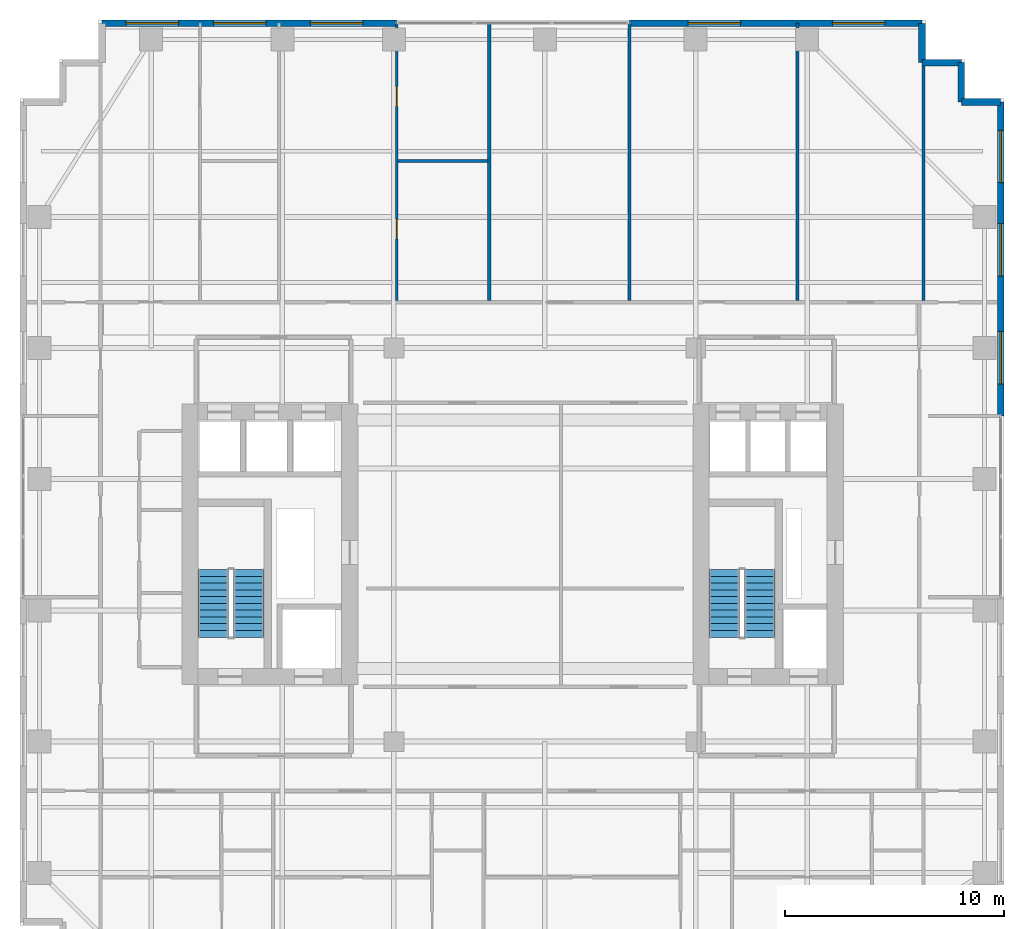
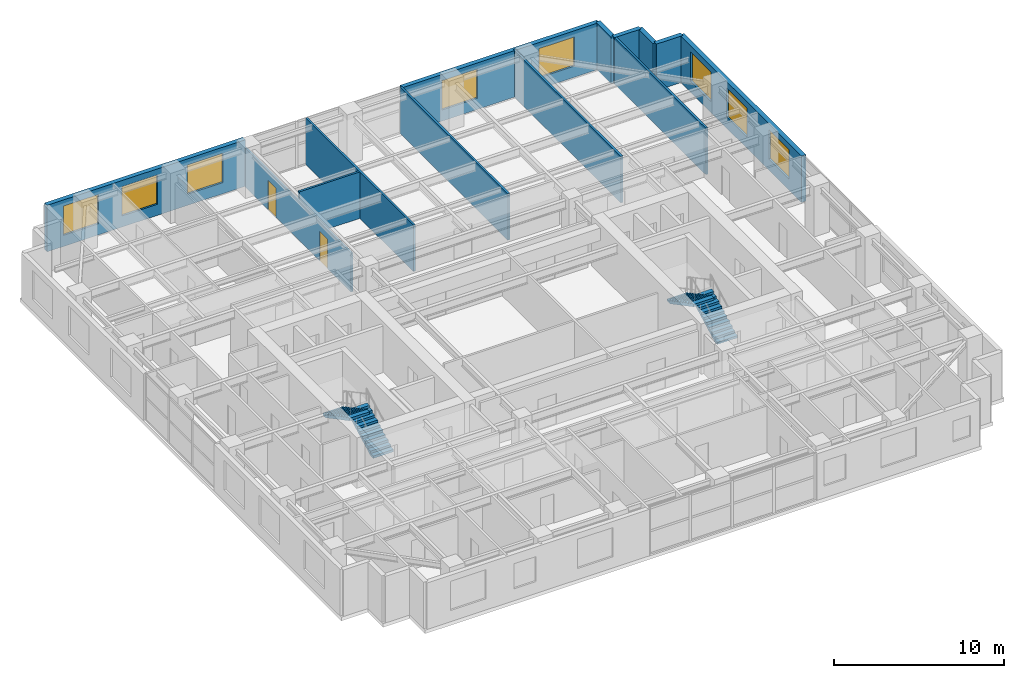
# One storey, part 16 of 20: 13 walls, 8 windows, 4 stair flights, 2 doors, 10 openings, 2 elements without a shape of their own.
"""IFC4 building model written with IfcOpenShell, lengths in metres."""

import ifcopenshell
import ifcopenshell.guid

model = None  # the IFC model being written
_history = None  # IfcOwnerHistory: only IFC2X3 demands one
_inside = {}  # id of a spatial element -> (the spatial element, [elements in it])
_under = {}  # id of a project, library or spatial element -> (it, [spatial elements below it])
_declared = {}  # id of a project -> (the project, [libraries it declares])
_typed = {}  # id of a type object -> (the type object, [elements of that type])
_made_of = {}  # id of a material, layer set ... -> (it, [elements and type objects made of it])


def new_model(schema):
    """Start an empty IFC model of exactly this schema.

    Asked for "IFC4X3", IfcOpenShell would pick the latest addendum, in which some entities
    have other attributes; the version numbers below select the first issue.
    IFC2X3 requires an IfcOwnerHistory on every rooted entity: one is made here for all.
    """
    global model, _history
    if schema == "IFC4X3":
        model = ifcopenshell.file(schema_version=(4, 3, 0, 0))
    else:
        model = ifcopenshell.file(schema=schema)
    _inside.clear()
    _under.clear()
    _declared.clear()
    _typed.clear()
    _made_of.clear()
    _history = None
    if model.schema == "IFC2X3":
        org = make("IfcOrganization", Name="unknown")
        user = make(
            "IfcPersonAndOrganization",
            ThePerson=make("IfcPerson", FamilyName="unknown"),
            TheOrganization=org,
        )
        app = make(
            "IfcApplication",
            ApplicationDeveloper=org,
            Version="unknown",
            ApplicationFullName="unknown",
            ApplicationIdentifier="unknown",
        )
        _history = make(
            "IfcOwnerHistory",
            OwningUser=user,
            OwningApplication=app,
            ChangeAction="ADDED",
            CreationDate=0,
        )
    return model


def make(cls, **values):
    """One entity of the class cls with the attributes given. An attribute that is None is left unset."""
    return model.create_entity(
        cls, **{name: value for name, value in values.items() if value is not None}
    )


def rooted(cls, **values):
    """An entity with a GlobalId (a new one), such as an element, a storey or a relation."""
    return make(cls, GlobalId=ifcopenshell.guid.new(), OwnerHistory=_history, **values)


def si_unit(unit_type, name, prefix=None):
    """IfcSIUnit, for example si_unit("LENGTHUNIT", "METRE", prefix="MILLI")."""
    return make("IfcSIUnit", UnitType=unit_type, Prefix=prefix, Name=name)


def assignment(units):
    """IfcUnitAssignment: the units of a project."""
    return None if units is None else make("IfcUnitAssignment", Units=units)


def point(xyz):
    """IfcCartesianPoint."""
    return None if xyz is None else make("IfcCartesianPoint", Coordinates=xyz)


def direction(xyz):
    """IfcDirection."""
    return None if xyz is None else make("IfcDirection", DirectionRatios=xyz)


def frame(location, z_axis=None, x_axis=None):
    """IfcAxis2Placement3D, a coordinate frame: its origin and axes. An axis left out is left unset."""
    return make(
        "IfcAxis2Placement3D",
        Location=point(location),
        Axis=direction(z_axis),
        RefDirection=direction(x_axis),
    )


def frame_2d(location, x_axis=None):
    """IfcAxis2Placement2D, a coordinate frame in the plane: its origin and x axis."""
    return make(
        "IfcAxis2Placement2D", Location=point(location), RefDirection=direction(x_axis)
    )


def origin():
    """The frame at (0, 0, 0) with its axes left unset."""
    return frame((0.0, 0.0, 0.0))


def place(relative_to, where):
    """IfcLocalPlacement: puts the frame where relative to a parent placement (None: the world)."""
    return make(
        "IfcLocalPlacement", PlacementRelTo=relative_to, RelativePlacement=where
    )


def context(
    kind, dimensions, precision=None, world=None, true_north=None, identifier=None
):
    """IfcGeometricRepresentationContext, for example the 3D "Model" context."""
    return make(
        "IfcGeometricRepresentationContext",
        ContextIdentifier=identifier,
        ContextType=kind,
        CoordinateSpaceDimension=dimensions,
        Precision=precision,
        WorldCoordinateSystem=world,
        TrueNorth=true_north,
    )


def subcontext(parent, identifier, kind, view, scale=None):
    """IfcGeometricRepresentationSubContext, for example "Body" below "Model"."""
    return make(
        "IfcGeometricRepresentationSubContext",
        ContextIdentifier=identifier,
        ContextType=kind,
        ParentContext=parent,
        TargetScale=scale,
        TargetView=view,
    )


def project(units=None, contexts=None):
    """IfcProject with its units and contexts."""
    return rooted(
        "IfcProject",
        Name="project",
        RepresentationContexts=contexts,
        UnitsInContext=assignment(units),
    )


def spatial(cls, under=None, at=None, **own):
    """A site, building, storey or space (cls), placed at a placement, below another one or the project."""
    s = rooted(cls, ObjectPlacement=at, **own)
    if under is not None:
        _under.setdefault(under.id(), (under, []))[1].append(s)
    return s


def polyline(points):
    """IfcPolyline through the points."""
    return make("IfcPolyline", Points=[point(p) for p in points])


def profile(cls, at=None, kind="AREA", **sizes):
    """A parametric profile (cls). Its sizes go by their IFC names, for example OverallWidth=200.0."""
    return make(cls, ProfileType=kind, Position=at, **sizes)


def rectangle(**sizes):
    """IfcRectangleProfileDef."""
    return profile("IfcRectangleProfileDef", **sizes)


def outline(outer, holes=None, kind="AREA"):
    """IfcArbitraryClosedProfileDef: a profile drawn as a closed curve; with holes, ...WithVoids."""
    if holes is None:
        return make("IfcArbitraryClosedProfileDef", ProfileType=kind, OuterCurve=outer)
    return make(
        "IfcArbitraryProfileDefWithVoids",
        ProfileType=kind,
        OuterCurve=outer,
        InnerCurves=holes,
    )


def extrude(swept, where, along, depth):
    """IfcExtrudedAreaSolid: the profile swept, set in the frame where, extruded along a direction by depth."""
    return make(
        "IfcExtrudedAreaSolid",
        SweptArea=swept,
        Position=where,
        ExtrudedDirection=direction(along),
        Depth=depth,
    )


def shape(context_of_items, identifier, shape_type, items):
    """IfcShapeRepresentation: the items that make up one representation, for example the "Body"."""
    return make(
        "IfcShapeRepresentation",
        ContextOfItems=context_of_items,
        RepresentationIdentifier=identifier,
        RepresentationType=shape_type,
        Items=items,
    )


def source(mapping_origin, context_of_items, identifier, shape_type, items):
    """IfcRepresentationMap: a shape defined once, which mapped items show again and again."""
    return make(
        "IfcRepresentationMap",
        MappingOrigin=mapping_origin,
        MappedRepresentation=shape(context_of_items, identifier, shape_type, items),
    )


def transform(
    local_origin,
    x_axis=None,
    y_axis=None,
    z_axis=None,
    scale=None,
    scale2=None,
    scale3=None,
    uniform=True,
):
    """IfcCartesianTransformationOperator3D, or its non-uniform kind. x_axis, y_axis, z_axis: its Axis1, 2, 3."""
    if uniform:
        return make(
            "IfcCartesianTransformationOperator3D",
            Axis1=direction(x_axis),
            Axis2=direction(y_axis),
            LocalOrigin=point(local_origin),
            Scale=scale,
            Axis3=direction(z_axis),
        )
    return make(
        "IfcCartesianTransformationOperator3DnonUniform",
        Axis1=direction(x_axis),
        Axis2=direction(y_axis),
        LocalOrigin=point(local_origin),
        Scale=scale,
        Axis3=direction(z_axis),
        Scale2=scale2,
        Scale3=scale3,
    )


def mapped(mapping_source, mapping_target):
    """IfcMappedItem: shows the shape of a source again, moved by a transform."""
    return make(
        "IfcMappedItem", MappingSource=mapping_source, MappingTarget=mapping_target
    )


def material(Name=None, Category=None):
    """IfcMaterial."""
    return make("IfcMaterial", Name=Name, Category=Category)


def layer(
    of_material, thickness, ventilated=None, Name=None, Category=None, Priority=None
):
    """IfcMaterialLayer: one layer of a wall or slab, of a material (None: an air gap)."""
    return make(
        "IfcMaterialLayer",
        Material=of_material,
        LayerThickness=thickness,
        IsVentilated=ventilated,
        Name=Name,
        Category=Category,
        Priority=Priority,
    )


def layer_set(layers, Name=None):
    """IfcMaterialLayerSet."""
    return make("IfcMaterialLayerSet", MaterialLayers=layers, LayerSetName=Name)


def made_of(thing, what):
    """Note that an element or type object is made of a material, layer set ...; save() writes the relation."""
    if what is not None:
        _made_of.setdefault(what.id(), (what, []))[1].append(thing)
    return thing


def type_object(cls, material=None, **own):
    """A type object (cls), such as IfcWallType, which elements share."""
    return made_of(rooted(cls, **own), material)


def element(
    cls,
    number,
    at=None,
    inside=None,
    cuts=None,
    type_object=None,
    material=None,
    context=None,
    identifier="Body",
    shape_type=None,
    held_by="IfcProductDefinitionShape",
    body=None,
    shapes=None,
    **own,
):
    """One element of the class cls, such as IfcWall. Its Tag is "e" and its number.

    at: its placement. inside: the storey or other place that contains it. cuts: it is an
    opening in that element (IfcRelVoidsElement). A single representation is given by context,
    identifier, shape_type and body (its items); several are given by shapes. held_by: the class
    of the entity that holds the representations. save() writes the other relations.
    """
    e = rooted(cls, Tag="e%d" % number, ObjectPlacement=at, **own)
    if body is not None:
        shapes = [shape(context, identifier, shape_type, body)]
    if shapes is not None:
        e.Representation = make(held_by, Representations=shapes)
    if inside is not None:
        _inside.setdefault(inside.id(), (inside, []))[1].append(e)
    if cuts is not None:
        rooted(
            "IfcRelVoidsElement", RelatingBuildingElement=cuts, RelatedOpeningElement=e
        )
    if type_object is not None:
        _typed.setdefault(type_object.id(), (type_object, []))[1].append(e)
    return made_of(e, material)


def fill(opening, filler):
    """IfcRelFillsElement: the door or window that sits in an opening."""
    return rooted(
        "IfcRelFillsElement",
        RelatingOpeningElement=opening,
        RelatedBuildingElement=filler,
    )


def aggregate(whole, parts):
    """IfcRelAggregates: a whole, such as a stair, and the parts it consists of."""
    return rooted("IfcRelAggregates", RelatingObject=whole, RelatedObjects=parts)


def save(model, path):
    """Write the relations noted so far, then the file.

    IfcRelAggregates (storeys below a building ...), IfcRelContainedInSpatialStructure (elements
    in a storey), IfcRelDefinesByType, IfcRelAssociatesMaterial and IfcRelDeclares: one each for
    every whole, place, type object, material and project.
    """
    for whole, parts in _under.values():
        aggregate(whole, parts)
    for where, things in _inside.values():
        rooted(
            "IfcRelContainedInSpatialStructure",
            RelatedElements=things,
            RelatingStructure=where,
        )
    for kind, things in _typed.values():
        rooted("IfcRelDefinesByType", RelatedObjects=things, RelatingType=kind)
    for what, things in _made_of.values():
        rooted("IfcRelAssociatesMaterial", RelatedObjects=things, RelatingMaterial=what)
    for by, libraries in _declared.values():
        rooted("IfcRelDeclares", RelatingContext=by, RelatedDefinitions=libraries)
    model.write(path)


model = new_model("IFC4")

# Units and contexts
model_context = context("Model", 3, precision=1e-05, world=origin(), true_north=direction((0.0, 1.0)))
body_context = subcontext(model_context, "Body", "Model", "MODEL_VIEW")
ifc_project = project(units=[si_unit("LENGTHUNIT", "METRE"), si_unit("AREAUNIT", "SQUARE_METRE"), si_unit("VOLUMEUNIT", "CUBIC_METRE"), si_unit("PLANEANGLEUNIT", "RADIAN"), si_unit("MASSUNIT", "GRAM", prefix="KILO")], contexts=[model_context])

# Site, building, storey
site_placement = place(None, origin())
site = spatial("IfcSite", under=ifc_project, at=site_placement, CompositionType="ELEMENT")
building_placement = place(site_placement, origin())
building = spatial("IfcBuilding", under=site, at=building_placement, Name="Khoralis Quay Care Tower", CompositionType="ELEMENT")
storey_placement = place(building_placement, frame((0.0, 0.0, 116.10009765625)))
storey = spatial("IfcBuildingStorey", under=building, at=storey_placement, Name="L30", CompositionType="ELEMENT", Elevation=116.10009765625)

# Wall, openings, windows
ifc_material_1 = material(Name="Precast concrete C45/55", Category="concrete")
ifc_layer_1 = layer(ifc_material_1, 0.300048828125)
ifc_layer_set_1 = layer_set([ifc_layer_1], Name="Precast concrete C45/55")
wall_type_1 = type_object("IfcWallType", Name="WL-EXT-REF-300", PredefinedType="SOLIDWALL", material=ifc_layer_set_1)
wall_1_placement = place(storey_placement, frame((44.85009765625, 26.89990234375, 0.0), z_axis=(0.0, 0.0, 1.0), x_axis=(0.0, 1.0, 0.0)))
wall_1 = element("IfcWall", 1, at=wall_1_placement, inside=storey, type_object=wall_type_1, Name="L30 External Facade Wall WL-EXT-L30-P1-E5B", PredefinedType="SOLIDWALL", context=body_context, shape_type="SweptSolid", body=[
    extrude(rectangle(XDim=14.35009765625, YDim=0.300048828125, at=frame_2d((7.175048828125, 0.0))), origin(), (0.0, 0.0, 1.0), 3.33984375),
])
opening_1_placement = place(wall_1_placement, frame((1.449951171875, 0.0, 0.800048828125)))
opening_1 = element("IfcOpeningElement", 2, at=opening_1_placement, cuts=wall_1, Name="Opening W1", PredefinedType="OPENING", context=body_context, shape_type="SweptSolid", body=[
    extrude(rectangle(XDim=2.39990234375, YDim=2.10009765625, at=frame_2d((1.199951171875, 1.050048828125))), frame((0.0, 0.16015625, 0.0), z_axis=(0.0, -1.0, 0.0), x_axis=(1.0, 0.0, 0.0)), (0.0, 0.0, 1.0), 0.320068359375),
])
opening_2_placement = place(wall_1_placement, frame((6.392578125, 0.0, 0.800048828125)))
opening_2 = element("IfcOpeningElement", 3, at=opening_2_placement, cuts=wall_1, Name="Opening W1", PredefinedType="OPENING", context=body_context, shape_type="SweptSolid", body=[
    extrude(rectangle(XDim=2.39990234375, YDim=2.10009765625, at=frame_2d((1.199951171875, 1.050048828125))), frame((0.0, 0.16015625, 0.0), z_axis=(0.0, -1.0, 0.0), x_axis=(1.0, 0.0, 0.0)), (0.0, 0.0, 1.0), 0.320068359375),
])
opening_3_placement = place(wall_1_placement, frame((10.657470703125, 0.0, 0.800048828125)))
opening_3 = element("IfcOpeningElement", 4, at=opening_3_placement, cuts=wall_1, Name="Opening W1", PredefinedType="OPENING", context=body_context, shape_type="SweptSolid", body=[
    extrude(rectangle(XDim=2.39990234375, YDim=2.10009765625, at=frame_2d((1.199951171875, 1.050048828125))), frame((0.0, 0.16015625, 0.0), z_axis=(0.0, -1.0, 0.0), x_axis=(1.0, 0.0, 0.0)), (0.0, 0.0, 1.0), 0.320068359375),
])
ifc_material_2 = material(Name="Low-E solar-control double glazing", Category="glass")
window_type = type_object("IfcWindowType", Name="WN-POD-2400X2100", PartitioningType="SINGLE_PANEL", PredefinedType="WINDOW", material=ifc_material_2)
shared_shape_1 = source(origin(), body_context, "Body", "SweptSolid", [
    extrude(rectangle(XDim=2.39990234375, YDim=2.10009765625, at=frame_2d((1.199951171875, 1.050048828125))), frame((0.0, 0.030029296875, 0.0), z_axis=(0.0, -1.0, 0.0), x_axis=(1.0, 0.0, 0.0)), (0.0, 0.0, 1.0), 0.06005859375),
])
window_1_placement = place(opening_1_placement, origin())
window_1 = element("IfcWindow", 5, at=window_1_placement, inside=storey, type_object=window_type, Name="WN-L30-P1-E5B Facade Window 01", OverallHeight=2.10009765625, OverallWidth=2.39990234375, PartitioningType="SINGLE_PANEL", PredefinedType="WINDOW", context=body_context, shape_type="MappedRepresentation", body=[
    mapped(shared_shape_1, transform((0.0, 0.0, 0.0), scale=1.0)),
])
fill(opening_1, window_1)
window_2_placement = place(opening_2_placement, origin())
window_2 = element("IfcWindow", 6, at=window_2_placement, inside=storey, type_object=window_type, Name="WN-L30-P1-E5B Facade Window 02", OverallHeight=2.10009765625, OverallWidth=2.39990234375, PartitioningType="SINGLE_PANEL", PredefinedType="WINDOW", context=body_context, shape_type="MappedRepresentation", body=[
    mapped(shared_shape_1, transform((0.0, 0.0, 0.0), scale=1.0)),
])
fill(opening_2, window_2)
window_3_placement = place(opening_3_placement, origin())
window_3 = element("IfcWindow", 7, at=window_3_placement, inside=storey, type_object=window_type, Name="WN-L30-P1-E5B Facade Window 03", OverallHeight=2.10009765625, OverallWidth=2.39990234375, PartitioningType="SINGLE_PANEL", PredefinedType="WINDOW", context=body_context, shape_type="MappedRepresentation", body=[
    mapped(shared_shape_1, transform((0.0, 0.0, 0.0), scale=1.0)),
])
fill(opening_3, window_3)

# Walls
for number, where, z_axis, x_axis, name in (
    (8, (44.85009765625, 41.25, 0.0), (0.0, 0.0, 1.0), (-1.0, 0.0, 0.0), "L30 External Facade Wall WL-EXT-L30-P1-C6"),
    (9, (43.050048828125, 41.25, 0.0), (0.0, 0.0, 1.0), (0.0, 1.0, 0.0), "L30 External Facade Wall WL-EXT-L30-P1-C7"),
    (10, (43.050048828125, 43.050048828125, 0.0), (0.0, 0.0, 1.0), (-1.0, 0.0, 0.0), "L30 External Facade Wall WL-EXT-L30-P1-C8"),
    (11, (41.25, 43.050048828125, 0.0), (0.0, 0.0, 1.0), (0.0, 1.0, 0.0), "L30 External Facade Wall WL-EXT-L30-P1-C9"),
):
    element("IfcWall", number, at=place(storey_placement, frame(where, z_axis=z_axis, x_axis=x_axis)), inside=storey, type_object=wall_type_1, Name=name, PredefinedType="SOLIDWALL", context=body_context, shape_type="SweptSolid", body=[
        extrude(rectangle(XDim=1.800048828125, YDim=0.300048828125, at=frame_2d((0.89990234375, 0.0))), origin(), (0.0, 0.0, 1.0), 3.33984375),
    ])

# Wall, openings, windows
wall_2_placement = place(storey_placement, frame((41.25, 44.85009765625, 0.0), z_axis=(0.0, 0.0, 1.0), x_axis=(-1.0, 0.0, 0.0)))
wall_2 = element("IfcWall", 12, at=wall_2_placement, inside=storey, type_object=wall_type_1, Name="L30 External Facade Wall WL-EXT-L30-P1-E10A", PredefinedType="SOLIDWALL", context=body_context, shape_type="SweptSolid", body=[
    extrude(rectangle(XDim=13.3798828125, YDim=0.300048828125, at=frame_2d((6.68994140625, 0.0))), origin(), (0.0, 0.0, 1.0), 3.33984375),
])
opening_4_placement = place(wall_2_placement, frame((1.699951171875, 0.0, 0.800048828125)))
opening_4 = element("IfcOpeningElement", 13, at=opening_4_placement, cuts=wall_2, Name="Opening W1", PredefinedType="OPENING", context=body_context, shape_type="SweptSolid", body=[
    extrude(rectangle(XDim=2.39990234375, YDim=2.10009765625, at=frame_2d((1.199951171875, 1.050048828125))), frame((0.0, 0.16015625, 0.0), z_axis=(0.0, -1.0, 0.0), x_axis=(1.0, 0.0, 0.0)), (0.0, 0.0, 1.0), 0.320068359375),
])
opening_5_placement = place(wall_2_placement, frame((8.2900390625, 0.0, 0.800048828125)))
opening_5 = element("IfcOpeningElement", 14, at=opening_5_placement, cuts=wall_2, Name="Opening W1", PredefinedType="OPENING", context=body_context, shape_type="SweptSolid", body=[
    extrude(rectangle(XDim=2.39990234375, YDim=2.10009765625, at=frame_2d((1.199951171875, 1.050048828125))), frame((0.0, 0.16015625, 0.0), z_axis=(0.0, -1.0, 0.0), x_axis=(1.0, 0.0, 0.0)), (0.0, 0.0, 1.0), 0.320068359375),
])
window_4_placement = place(opening_4_placement, origin())
window_4 = element("IfcWindow", 15, at=window_4_placement, inside=storey, type_object=window_type, Name="WN-L30-P1-E10A Facade Window 01", OverallHeight=2.10009765625, OverallWidth=2.39990234375, PartitioningType="SINGLE_PANEL", PredefinedType="WINDOW", context=body_context, shape_type="MappedRepresentation", body=[
    mapped(shared_shape_1, transform((0.0, 0.0, 0.0), scale=1.0)),
])
fill(opening_4, window_4)
window_5_placement = place(opening_5_placement, origin())
window_5 = element("IfcWindow", 16, at=window_5_placement, inside=storey, type_object=window_type, Name="WN-L30-P1-E10A Facade Window 02", OverallHeight=2.10009765625, OverallWidth=2.39990234375, PartitioningType="SINGLE_PANEL", PredefinedType="WINDOW", context=body_context, shape_type="MappedRepresentation", body=[
    mapped(shared_shape_1, transform((0.0, 0.0, 0.0), scale=1.0)),
])
fill(opening_5, window_5)

wall_3_placement = place(storey_placement, frame((17.22705078125, 44.85009765625, 0.0), z_axis=(0.0, 0.0, 1.0), x_axis=(-1.0, 0.0, 0.0)))
wall_3 = element("IfcWall", 17, at=wall_3_placement, inside=storey, type_object=wall_type_1, Name="L30 External Facade Wall WL-EXT-L30-P1-E10B", PredefinedType="SOLIDWALL", context=body_context, shape_type="SweptSolid", body=[
    extrude(rectangle(XDim=13.47705078125, YDim=0.300048828125, at=frame_2d((6.738525390625, 0.0))), origin(), (0.0, 0.0, 1.0), 3.33984375),
])
opening_6_placement = place(wall_3_placement, frame((1.54345703125, 0.0, 0.800048828125)))
opening_6 = element("IfcOpeningElement", 18, at=opening_6_placement, cuts=wall_3, Name="Opening W1", PredefinedType="OPENING", context=body_context, shape_type="SweptSolid", body=[
    extrude(rectangle(XDim=2.39990234375, YDim=2.10009765625, at=frame_2d((1.199951171875, 1.050048828125))), frame((0.0, 0.16015625, 0.0), z_axis=(0.0, -1.0, 0.0), x_axis=(1.0, 0.0, 0.0)), (0.0, 0.0, 1.0), 0.320068359375),
])
opening_7_placement = place(wall_3_placement, frame((5.98193359375, 0.0, 0.800048828125)))
opening_7 = element("IfcOpeningElement", 19, at=opening_7_placement, cuts=wall_3, Name="Opening W1", PredefinedType="OPENING", context=body_context, shape_type="SweptSolid", body=[
    extrude(rectangle(XDim=2.39990234375, YDim=2.10009765625, at=frame_2d((1.199951171875, 1.050048828125))), frame((0.0, 0.16015625, 0.0), z_axis=(0.0, -1.0, 0.0), x_axis=(1.0, 0.0, 0.0)), (0.0, 0.0, 1.0), 0.320068359375),
])
opening_8_placement = place(wall_3_placement, frame((9.97705078125, 0.0, 0.800048828125)))
opening_8 = element("IfcOpeningElement", 20, at=opening_8_placement, cuts=wall_3, Name="Opening W1", PredefinedType="OPENING", context=body_context, shape_type="SweptSolid", body=[
    extrude(rectangle(XDim=2.39990234375, YDim=2.10009765625, at=frame_2d((1.199951171875, 1.050048828125))), frame((0.0, 0.16015625, 0.0), z_axis=(0.0, -1.0, 0.0), x_axis=(1.0, 0.0, 0.0)), (0.0, 0.0, 1.0), 0.320068359375),
])
window_6_placement = place(opening_6_placement, origin())
window_6 = element("IfcWindow", 21, at=window_6_placement, inside=storey, type_object=window_type, Name="WN-L30-P1-E10B Facade Window 01", OverallHeight=2.10009765625, OverallWidth=2.39990234375, PartitioningType="SINGLE_PANEL", PredefinedType="WINDOW", context=body_context, shape_type="MappedRepresentation", body=[
    mapped(shared_shape_1, transform((0.0, 0.0, 0.0), scale=1.0)),
])
fill(opening_6, window_6)
window_7_placement = place(opening_7_placement, origin())
window_7 = element("IfcWindow", 22, at=window_7_placement, inside=storey, type_object=window_type, Name="WN-L30-P1-E10B Facade Window 02", OverallHeight=2.10009765625, OverallWidth=2.39990234375, PartitioningType="SINGLE_PANEL", PredefinedType="WINDOW", context=body_context, shape_type="MappedRepresentation", body=[
    mapped(shared_shape_1, transform((0.0, 0.0, 0.0), scale=1.0)),
])
fill(opening_7, window_7)
window_8_placement = place(opening_8_placement, origin())
window_8 = element("IfcWindow", 23, at=window_8_placement, inside=storey, type_object=window_type, Name="WN-L30-P1-E10B Facade Window 03", OverallHeight=2.10009765625, OverallWidth=2.39990234375, PartitioningType="SINGLE_PANEL", PredefinedType="WINDOW", context=body_context, shape_type="MappedRepresentation", body=[
    mapped(shared_shape_1, transform((0.0, 0.0, 0.0), scale=1.0)),
])
fill(opening_8, window_8)

# Wall, openings, doors
ifc_material_3 = material(Name="Gypsum plasterboard on acoustic metal stud")
ifc_layer_2 = layer(ifc_material_3, 0.114990234375)
ifc_layer_set_2 = layer_set([ifc_layer_2], Name="Gypsum plasterboard on acoustic metal stud")
wall_type_2 = type_object("IfcWallType", Name="WL-PART-115", PredefinedType="PARTITIONING", material=ifc_layer_set_2)
wall_4_placement = place(storey_placement, frame((17.22705078125, 32.177490234375, 0.0), z_axis=(0.0, 0.0, 1.0), x_axis=(0.0, 1.0, 0.0)))
wall_4 = element("IfcWall", 24, at=wall_4_placement, inside=storey, type_object=wall_type_2, Name="L30 Studio 1 Internal Wall", PredefinedType="PARTITIONING", context=body_context, shape_type="SweptSolid", body=[
    extrude(rectangle(XDim=12.677490234375, YDim=0.114990234375, at=frame_2d((6.3388671875, 0.0))), origin(), (0.0, 0.0, 1.0), 2.7958984375),
])
opening_9_placement = place(wall_4_placement, frame((8.87255859375, 0.0, 0.0)))
opening_9 = element("IfcOpeningElement", 25, at=opening_9_placement, cuts=wall_4, Name="Opening WD1", PredefinedType="OPENING", context=body_context, shape_type="SweptSolid", body=[
    extrude(rectangle(XDim=0.89990234375, YDim=2.10009765625, at=frame_2d((0.449951171875, 1.050048828125))), frame((0.0, 0.0673828125, 0.0), z_axis=(0.0, -1.0, 0.0), x_axis=(1.0, 0.0, 0.0)), (0.0, 0.0, 1.0), 0.135009765625),
])
opening_10_placement = place(wall_4_placement, frame((2.8125, 0.0, 0.0)))
opening_10 = element("IfcOpeningElement", 26, at=opening_10_placement, cuts=wall_4, Name="Opening WD1", PredefinedType="OPENING", context=body_context, shape_type="SweptSolid", body=[
    extrude(rectangle(XDim=0.89990234375, YDim=2.10009765625, at=frame_2d((0.449951171875, 1.050048828125))), frame((0.0, 0.0673828125, 0.0), z_axis=(0.0, -1.0, 0.0), x_axis=(1.0, 0.0, 0.0)), (0.0, 0.0, 1.0), 0.135009765625),
])
ifc_material_4 = material(Name="Acoustic hardwood timber", Category="wood")
door_type = type_object("IfcDoorType", Name="DR-BATH-900X2100", OperationType="NOTDEFINED", PredefinedType="DOOR", material=ifc_material_4)
shared_shape_2 = source(origin(), body_context, "Body", "SweptSolid", [
    extrude(rectangle(XDim=0.89990234375, YDim=2.10009765625, at=frame_2d((0.449951171875, 1.050048828125))), frame((0.0, 0.02490234375, 0.0), z_axis=(0.0, -1.0, 0.0), x_axis=(1.0, 0.0, 0.0)), (0.0, 0.0, 1.0), 0.050048828125),
])
door_1_placement = place(opening_9_placement, frame((0.89990234375, 0.0, 0.0), z_axis=(0.0, 0.0, 1.0), x_axis=(-1.0, 0.0, 0.0)))
door_1 = element("IfcDoor", 27, at=door_1_placement, inside=storey, type_object=door_type, Name="L30 Studio SKT Door", OperationType="SINGLE_SWING_RIGHT", OverallHeight=2.10009765625, OverallWidth=0.89990234375, PredefinedType="DOOR", context=body_context, shape_type="MappedRepresentation", body=[
    mapped(shared_shape_2, transform((0.0, 0.0, 0.0), scale=1.0)),
])
fill(opening_9, door_1)
door_2_placement = place(opening_10_placement, frame((0.89990234375, 0.0, 0.0), z_axis=(0.0, 0.0, 1.0), x_axis=(-1.0, 0.0, 0.0)))
door_2 = element("IfcDoor", 28, at=door_2_placement, inside=storey, type_object=door_type, Name="L30 Studio SBH Door", OperationType="SINGLE_SWING_LEFT", OverallHeight=2.10009765625, OverallWidth=0.89990234375, PredefinedType="DOOR", context=body_context, shape_type="MappedRepresentation", body=[
    mapped(shared_shape_2, transform((0.0, 0.0, 0.0), scale=1.0)),
])
fill(opening_10, door_2)

# Walls
ifc_material_5 = material(Name="Moisture-resistant gypsum and ceramic tile")
ifc_layer_3 = layer(ifc_material_5, 0.280029296875)
ifc_layer_set_3 = layer_set([ifc_layer_3], Name="Moisture-resistant gypsum and ceramic tile")
wall_type_3 = type_object("IfcWallType", Name="WL-PLUMB-280", PredefinedType="PLUMBINGWALL", material=ifc_layer_set_3)
wall_5_placement = place(storey_placement, frame((17.279541015625, 38.550048828125, 0.0), z_axis=(0.0, 0.0, 1.0), x_axis=(1.0, 0.0, 0.0)))
element("IfcWall", 29, at=wall_5_placement, inside=storey, type_object=wall_type_3, Name="L30 Studio 1 Wet Split", PredefinedType="PLUMBINGWALL", context=body_context, shape_type="SweptSolid", body=[
    extrude(rectangle(XDim=4.115478515625, YDim=0.139892578125, at=frame_2d((2.0576171875, 0.0))), origin(), (0.0, 0.0, 1.0), 3.33984375),
])
ifc_layer_4 = layer(ifc_material_3, 0.139892578125)
ifc_layer_set_4 = layer_set([ifc_layer_4], Name="Gypsum plasterboard on acoustic metal stud")
wall_type_4 = type_object("IfcWallType", Name="WL-UNIT-140", PredefinedType="PARTITIONING", material=ifc_layer_set_4)
for number, where, z_axis, x_axis, name in (
    (30, (21.4599609375, 32.177490234375, 0.0), (0.0, 0.0, 1.0), (0.0, 1.0, 0.0), "L30 NB Demising Wall 2"),
    (31, (27.8701171875, 32.177490234375, 0.0), (0.0, 0.0, 1.0), (0.0, 1.0, 0.0), "L30 NB Demising Wall 3"),
    (32, (35.550048828125, 32.177490234375, 0.0), (0.0, 0.0, 1.0), (0.0, 1.0, 0.0), "L30 NB Demising Wall 4"),
):
    element("IfcWall", number, at=place(storey_placement, frame(where, z_axis=z_axis, x_axis=x_axis)), inside=storey, type_object=wall_type_4, Name=name, PredefinedType="PARTITIONING", context=body_context, shape_type="SweptSolid", body=[
        extrude(rectangle(XDim=12.677490234375, YDim=0.139892578125, at=frame_2d((6.3388671875, 0.0))), origin(), (0.0, 0.0, 1.0), 3.33984375),
    ])
wall_6_placement = place(storey_placement, frame((41.320068359375, 32.177490234375, 0.0), z_axis=(0.0, 0.0, 1.0), x_axis=(0.0, 1.0, 0.0)))
element("IfcWall", 33, at=wall_6_placement, inside=storey, type_object=wall_type_4, Name="L30 NB Demising Wall 5", PredefinedType="PARTITIONING", context=body_context, shape_type="SweptSolid", body=[
    extrude(rectangle(XDim=10.87744140625, YDim=0.139892578125, at=frame_2d((5.438720703125, 0.0))), origin(), (0.0, 0.0, 1.0), 3.33984375),
])

# Stair, stair flights
stair_type = type_object("IfcStairType", Name="ST-TWR-DOGLEG-1400", PredefinedType="HALF_TURN_STAIR", material=ifc_material_1)
stair_1_placement = place(storey_placement, origin())
stair_1 = element("IfcStair", 34, at=stair_1_placement, inside=storey, type_object=stair_type, Name="L30 West Core Exit Stair ST-T1", PredefinedType="HALF_TURN_STAIR")
stair_flight_type = type_object("IfcStairFlightType", Name="SF-TWR-1400", PredefinedType="STRAIGHT", material=ifc_material_1)
shared_shape_3 = source(origin(), body_context, "Body", "SweptSolid", [
    extrude(outline(polyline([(0.0, 0.0), (0.0, 0.16357421875), (0.31005859375, 0.16357421875), (0.31005859375, 0.327392578125), (0.6201171875, 0.327392578125), (0.6201171875, 0.490966796875), (0.929931640625, 0.490966796875), (0.929931640625, 0.654541015625), (1.239990234375, 0.654541015625), (1.239990234375, 0.818115234375), (1.550048828125, 0.818115234375), (1.550048828125, 0.98193359375), (1.860107421875, 0.98193359375), (1.860107421875, 1.1455078125), (2.169921875, 1.1455078125), (2.169921875, 1.30908203125), (2.47998046875, 1.30908203125), (2.47998046875, 1.47265625), (2.7900390625, 1.47265625), (2.7900390625, 1.636474609375), (3.10009765625, 1.636474609375), (3.10009765625, 1.800048828125), (3.10009765625, 1.466796875), (0.321044921875, 0.0), (0.0, 0.0)])), frame((0.0, 0.68994140625, 0.0), z_axis=(0.0, -1.0, 0.0), x_axis=(1.0, 0.0, 0.0)), (0.0, 0.0, 1.0), 1.3798828125),
])
stair_flight_1_placement = place(storey_placement, frame((10.4599609375, 16.77001953125, 0.0), z_axis=(0.0, 0.0, 1.0), x_axis=(0.0, 1.0, 0.0)))
stair_flight_1 = element("IfcStairFlight", 35, at=stair_flight_1_placement, type_object=stair_flight_type, Name="ST-T1 flight 1", NumberOfRisers=11, NumberOfTreads=10, PredefinedType="STRAIGHT", RiserHeight=0.163636364, TreadLength=0.31, context=body_context, shape_type="MappedRepresentation", body=[
    mapped(shared_shape_3, transform((0.0, 0.0, 0.0), scale=1.0)),
])
stair_flight_2_placement = place(storey_placement, frame((8.840087890625, 19.8701171875, 1.7998046875), z_axis=(0.0, 0.0, 1.0), x_axis=(0.0, -1.0, 0.0)))
stair_flight_2 = element("IfcStairFlight", 36, at=stair_flight_2_placement, type_object=stair_flight_type, Name="ST-T1 flight 2", NumberOfRisers=11, NumberOfTreads=10, PredefinedType="STRAIGHT", RiserHeight=0.163636364, TreadLength=0.31, context=body_context, shape_type="MappedRepresentation", body=[
    mapped(shared_shape_3, transform((0.0, 0.0, 0.0), scale=1.0)),
])
aggregate(stair_1, [stair_flight_1, stair_flight_2])

stair_2_placement = place(storey_placement, origin())
stair_2 = element("IfcStair", 37, at=stair_2_placement, inside=storey, type_object=stair_type, Name="L30 East Core Exit Stair ST-T2", PredefinedType="HALF_TURN_STAIR")
stair_flight_3_placement = place(storey_placement, frame((33.830078125, 16.77001953125, 0.0), z_axis=(0.0, 0.0, 1.0), x_axis=(0.0, 1.0, 0.0)))
stair_flight_3 = element("IfcStairFlight", 38, at=stair_flight_3_placement, type_object=stair_flight_type, Name="ST-T2 flight 1", NumberOfRisers=11, NumberOfTreads=10, PredefinedType="STRAIGHT", RiserHeight=0.163636364, TreadLength=0.31, context=body_context, shape_type="MappedRepresentation", body=[
    mapped(shared_shape_3, transform((0.0, 0.0, 0.0), scale=1.0)),
])
stair_flight_4_placement = place(storey_placement, frame((32.2099609375, 19.8701171875, 1.7998046875), z_axis=(0.0, 0.0, 1.0), x_axis=(0.0, -1.0, 0.0)))
stair_flight_4 = element("IfcStairFlight", 39, at=stair_flight_4_placement, type_object=stair_flight_type, Name="ST-T2 flight 2", NumberOfRisers=11, NumberOfTreads=10, PredefinedType="STRAIGHT", RiserHeight=0.163636364, TreadLength=0.31, context=body_context, shape_type="MappedRepresentation", body=[
    mapped(shared_shape_3, transform((0.0, 0.0, 0.0), scale=1.0)),
])
aggregate(stair_2, [stair_flight_3, stair_flight_4])

save(model, "model.ifc")
